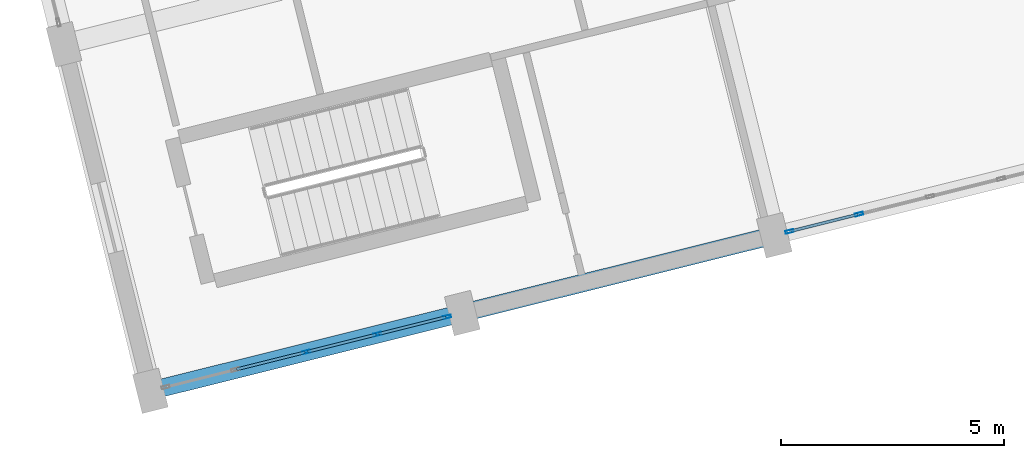
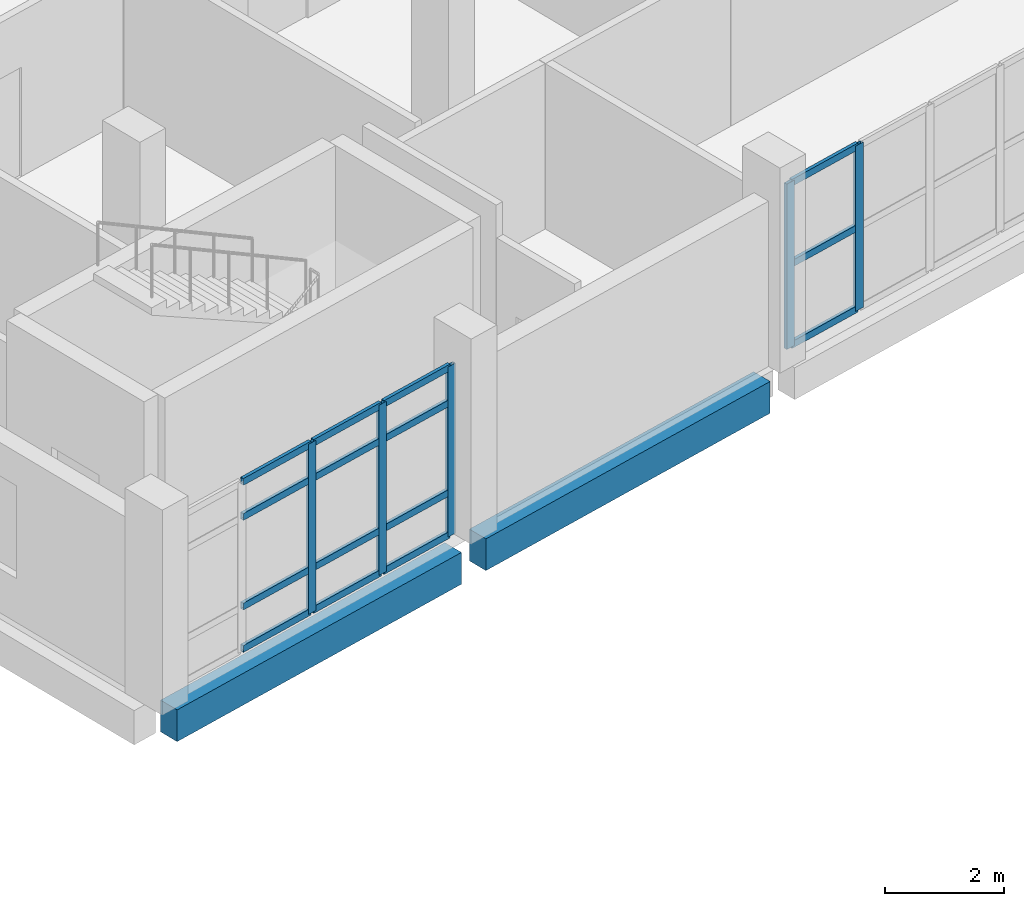
# One storey, part 105 of 164: 20 members, 2 beams, 2 elements without a shape of their own.
"""IFC4 building model written with IfcOpenShell, lengths in metres."""

from ifc_helpers import new_model, si_unit, direction, frame, origin, origin_2d, place, context, subcontext, project, spatial, rectangle, hollow_rectangle, extrude, material, layer, layer_set, material_profile, profile_set, type_object, element, aggregate, save


model = new_model("IFC4")

# Units and contexts
model_context = context("Model", 3, precision=1e-05, world=origin(), true_north=direction((0.0, 1.0)))
body_context = subcontext(model_context, "Body", "Model", "MODEL_VIEW")
ifc_project = project(units=[si_unit("LENGTHUNIT", "METRE"), si_unit("AREAUNIT", "SQUARE_METRE"), si_unit("VOLUMEUNIT", "CUBIC_METRE"), si_unit("PLANEANGLEUNIT", "RADIAN"), si_unit("MASSUNIT", "GRAM", prefix="KILO")], contexts=[model_context])

# Site, building, storey
site_placement = place(None, origin())
site = spatial("IfcSite", under=ifc_project, at=site_placement, CompositionType="ELEMENT")
building_placement = place(site_placement, origin())
building = spatial("IfcBuilding", under=site, at=building_placement, Name="Mawjan Specialist Oncology Clinic", CompositionType="ELEMENT")
storey_placement = place(building_placement, frame((0.0, 0.0, 5.0)))
storey = spatial("IfcBuildingStorey", under=building, at=storey_placement, Name="L01", CompositionType="ELEMENT", Elevation=5.0)

# Curtain wall, members
ifc_material_1 = material(Name="Unitised spectrally selective aluminium curtain wall", Category="aluminium")
ifc_layer_1 = layer(ifc_material_1, 0.179931640625, Name="Unitised spectrally selective aluminium curtain wall", Category="aluminium")
ifc_layer_set_1 = layer_set([ifc_layer_1], Name="Unitised spectrally selective aluminium curtain wall")
curtain_wall_type_1 = type_object("IfcCurtainWallType", Name="CW-44", PredefinedType="NOTDEFINED", material=ifc_layer_set_1)
curtain_wall_1_placement = place(storey_placement, origin())
curtain_wall_1 = element("IfcCurtainWall", 1, at=curtain_wall_1_placement, inside=storey, type_object=curtain_wall_type_1, Name="L01 Unitised Curtain Wall CW-L01-088", PredefinedType="NOTDEFINED")
ifc_material_2 = material(Name="Thermally broken aluminium 6063-T6", Category="aluminium")
ifc_material_profile_1 = material_profile(ifc_material_2, hollow_rectangle(XDim=0.06494140625, YDim=0.179931640625, WallThickness=0.00390625, at=origin_2d()), Name="ALU MULLION 180x65x4", Category="aluminium")
ifc_profile_set_1 = profile_set([ifc_material_profile_1], Name="Thermally broken aluminium 6063-T6")
member_type_1 = type_object("IfcMemberType", Name="CW-M180", PredefinedType="MULLION", material=ifc_profile_set_1)
member_1_placement = place(storey_placement, frame((141.8740234375, 4.7578125, 0.0), z_axis=(0.0, 0.0, 1.0), x_axis=(0.241921946692, -0.970295713537, 0.0)))
member_1 = element("IfcMember", 2, at=member_1_placement, type_object=member_type_1, Name="CW-44 mullion 4", PredefinedType="MULLION", context=body_context, shape_type="SweptSolid", body=[
    extrude(hollow_rectangle(XDim=0.06494140625, YDim=0.179931640625, WallThickness=0.00390625, at=origin_2d()), origin(), (0.0, 0.0, 1.0), 3.385009765625),
])
member_2_placement = place(storey_placement, frame((140.314208984375, 4.368896484375, 0.0), z_axis=(0.0, 0.0, 1.0), x_axis=(0.241921946692, -0.970295713537, 0.0)))
member_2 = element("IfcMember", 3, at=member_2_placement, type_object=member_type_1, Name="CW-44 mullion 5", PredefinedType="MULLION", context=body_context, shape_type="SweptSolid", body=[
    extrude(hollow_rectangle(XDim=0.06494140625, YDim=0.179931640625, WallThickness=0.00390625, at=origin_2d()), origin(), (0.0, 0.0, 1.0), 3.385009765625),
])

ifc_material_3 = material(Name="Unitised spectrally selective aluminium curtain wall", Category="aluminium")
ifc_layer_2 = layer(ifc_material_3, 0.179931640625, Name="Unitised spectrally selective aluminium curtain wall", Category="aluminium")
ifc_layer_set_2 = layer_set([ifc_layer_2], Name="Unitised spectrally selective aluminium curtain wall")
curtain_wall_type_2 = type_object("IfcCurtainWallType", Name="CW-45", PredefinedType="NOTDEFINED", material=ifc_layer_set_2)
curtain_wall_2_placement = place(storey_placement, origin())
curtain_wall_2 = element("IfcCurtainWall", 4, at=curtain_wall_2_placement, inside=storey, type_object=curtain_wall_type_2, Name="L01 Unitised Curtain Wall CW-L01-089", PredefinedType="NOTDEFINED")
member_3_placement = place(storey_placement, frame((132.64404296875, 2.45654296875, 0.0), z_axis=(0.0, 0.0, 1.0), x_axis=(0.241921982475, -0.970295704615, 0.0)))
member_3 = element("IfcMember", 5, at=member_3_placement, type_object=member_type_1, Name="CW-45 mullion 1", PredefinedType="MULLION", context=body_context, shape_type="SweptSolid", body=[
    extrude(hollow_rectangle(XDim=0.06494140625, YDim=0.179931640625, WallThickness=0.00390625, at=origin_2d()), origin(), (0.0, 0.0, 1.0), 3.485107421875),
])
member_4_placement = place(storey_placement, frame((131.084228515625, 2.067626953125, 0.0), z_axis=(0.0, 0.0, 1.0), x_axis=(0.241921982475, -0.970295704615, 0.0)))
member_4 = element("IfcMember", 6, at=member_4_placement, type_object=member_type_1, Name="CW-45 mullion 2", PredefinedType="MULLION", context=body_context, shape_type="SweptSolid", body=[
    extrude(hollow_rectangle(XDim=0.06494140625, YDim=0.179931640625, WallThickness=0.00390625, at=origin_2d()), origin(), (0.0, 0.0, 1.0), 3.485107421875),
])
member_5_placement = place(storey_placement, frame((129.4931640625, 1.6708984375, 0.0), z_axis=(0.0, 0.0, 1.0), x_axis=(0.241921982475, -0.970295704615, 0.0)))
member_5 = element("IfcMember", 7, at=member_5_placement, type_object=member_type_1, Name="CW-45 mullion 3", PredefinedType="MULLION", context=body_context, shape_type="SweptSolid", body=[
    extrude(hollow_rectangle(XDim=0.06494140625, YDim=0.179931640625, WallThickness=0.00390625, at=origin_2d()), origin(), (0.0, 0.0, 1.0), 3.485107421875),
])

# Member
ifc_material_4 = material(Name="Thermally broken aluminium 6063-T6", Category="aluminium")
ifc_material_profile_2 = material_profile(ifc_material_4, hollow_rectangle(XDim=0.06494140625, YDim=0.139892578125, WallThickness=0.00390625, at=origin_2d()), Name="ALU TRANSOM 140x65x4", Category="aluminium")
ifc_profile_set_2 = profile_set([ifc_material_profile_2], Name="Thermally broken aluminium 6063-T6")
member_type_2 = type_object("IfcMemberType", Name="CW-T140", PredefinedType="USERDEFINED", material=ifc_profile_set_2)
member_6_placement = place(storey_placement, frame((141.842529296875, 4.75, 0.032470703125), z_axis=(-0.970281979076, -0.241977025935, 0.0), x_axis=(0.241977025935, -0.970281979076, 0.0)))
member_6 = element("IfcMember", 8, at=member_6_placement, type_object=member_type_2, Name="CW-44 transom 4.1", ObjectType="TRANSOM", PredefinedType="USERDEFINED", context=body_context, shape_type="SweptSolid", body=[
    extrude(hollow_rectangle(XDim=0.06494140625, YDim=0.139892578125, WallThickness=0.00390625, at=origin_2d()), origin(), (0.0, 0.0, 1.0), 1.542724609375),
])

member_7_placement = place(storey_placement, frame((141.842529296875, 4.75, 1.6923828125), z_axis=(-0.970281979076, -0.241977025935, 0.0), x_axis=(0.241977025935, -0.970281979076, 0.0)))
member_7 = element("IfcMember", 9, at=member_7_placement, type_object=member_type_2, Name="CW-44 transom 4.2", ObjectType="TRANSOM", PredefinedType="USERDEFINED", context=body_context, shape_type="SweptSolid", body=[
    extrude(hollow_rectangle(XDim=0.06494140625, YDim=0.139892578125, WallThickness=0.00390625, at=origin_2d()), origin(), (0.0, 0.0, 1.0), 1.542724609375),
])

member_8_placement = place(storey_placement, frame((141.842529296875, 4.75, 3.3525390625), z_axis=(-0.970281979076, -0.241977025935, 0.0), x_axis=(0.241977025935, -0.970281979076, 0.0)))
member_8 = element("IfcMember", 10, at=member_8_placement, type_object=member_type_2, Name="CW-44 transom 4.3", ObjectType="TRANSOM", PredefinedType="USERDEFINED", context=body_context, shape_type="SweptSolid", body=[
    extrude(hollow_rectangle(XDim=0.06494140625, YDim=0.139892578125, WallThickness=0.00390625, at=origin_2d()), origin(), (0.0, 0.0, 1.0), 1.542724609375),
])

aggregate(curtain_wall_1, [member_1, member_2, member_6, member_7, member_8])

member_9_placement = place(storey_placement, frame((132.612548828125, 2.44873046875, 0.032470703125), z_axis=(-0.970272710459, -0.242014188302, 0.0), x_axis=(0.242014188302, -0.970272710459, 0.0)))
member_9 = element("IfcMember", 11, at=member_9_placement, type_object=member_type_2, Name="CW-45 transom 1.1", ObjectType="TRANSOM", PredefinedType="USERDEFINED", context=body_context, shape_type="SweptSolid", body=[
    extrude(hollow_rectangle(XDim=0.06494140625, YDim=0.139892578125, WallThickness=0.00390625, at=origin_2d()), origin(), (0.0, 0.0, 1.0), 1.54248046875),
])

member_10_placement = place(storey_placement, frame((132.612548828125, 2.44873046875, 0.89990234375), z_axis=(-0.970272710459, -0.242014188302, 0.0), x_axis=(0.242014188302, -0.970272710459, 0.0)))
member_10 = element("IfcMember", 12, at=member_10_placement, type_object=member_type_2, Name="CW-45 transom 1.2", ObjectType="TRANSOM", PredefinedType="USERDEFINED", context=body_context, shape_type="SweptSolid", body=[
    extrude(hollow_rectangle(XDim=0.06494140625, YDim=0.139892578125, WallThickness=0.00390625, at=origin_2d()), origin(), (0.0, 0.0, 1.0), 1.54248046875),
])

member_11_placement = place(storey_placement, frame((132.612548828125, 2.44873046875, 2.735107421875), z_axis=(-0.970272710459, -0.242014188302, 0.0), x_axis=(0.242014188302, -0.970272710459, 0.0)))
member_11 = element("IfcMember", 13, at=member_11_placement, type_object=member_type_2, Name="CW-45 transom 1.3", ObjectType="TRANSOM", PredefinedType="USERDEFINED", context=body_context, shape_type="SweptSolid", body=[
    extrude(hollow_rectangle(XDim=0.06494140625, YDim=0.139892578125, WallThickness=0.00390625, at=origin_2d()), origin(), (0.0, 0.0, 1.0), 1.54248046875),
])

member_12_placement = place(storey_placement, frame((132.612548828125, 2.44873046875, 3.452392578125), z_axis=(-0.970272710459, -0.242014188302, 0.0), x_axis=(0.242014188302, -0.970272710459, 0.0)))
member_12 = element("IfcMember", 14, at=member_12_placement, type_object=member_type_2, Name="CW-45 transom 1.4", ObjectType="TRANSOM", PredefinedType="USERDEFINED", context=body_context, shape_type="SweptSolid", body=[
    extrude(hollow_rectangle(XDim=0.06494140625, YDim=0.139892578125, WallThickness=0.00390625, at=origin_2d()), origin(), (0.0, 0.0, 1.0), 1.54248046875),
])

member_13_placement = place(storey_placement, frame((131.052734375, 2.059814453125, 0.032470703125), z_axis=(-0.970279129475, -0.241988452007, 0.0), x_axis=(0.241988452007, -0.970279129475, 0.0)))
member_13 = element("IfcMember", 15, at=member_13_placement, type_object=member_type_2, Name="CW-45 transom 2.1", ObjectType="TRANSOM", PredefinedType="USERDEFINED", context=body_context, shape_type="SweptSolid", body=[
    extrude(hollow_rectangle(XDim=0.06494140625, YDim=0.139892578125, WallThickness=0.00390625, at=origin_2d()), origin(), (0.0, 0.0, 1.0), 1.574951171875),
])

member_14_placement = place(storey_placement, frame((131.052734375, 2.059814453125, 0.89990234375), z_axis=(-0.970279129475, -0.241988452007, 0.0), x_axis=(0.241988452007, -0.970279129475, 0.0)))
member_14 = element("IfcMember", 16, at=member_14_placement, type_object=member_type_2, Name="CW-45 transom 2.2", ObjectType="TRANSOM", PredefinedType="USERDEFINED", context=body_context, shape_type="SweptSolid", body=[
    extrude(hollow_rectangle(XDim=0.06494140625, YDim=0.139892578125, WallThickness=0.00390625, at=origin_2d()), origin(), (0.0, 0.0, 1.0), 1.574951171875),
])

member_15_placement = place(storey_placement, frame((131.052734375, 2.059814453125, 2.735107421875), z_axis=(-0.970279129475, -0.241988452007, 0.0), x_axis=(0.241988452007, -0.970279129475, 0.0)))
member_15 = element("IfcMember", 17, at=member_15_placement, type_object=member_type_2, Name="CW-45 transom 2.3", ObjectType="TRANSOM", PredefinedType="USERDEFINED", context=body_context, shape_type="SweptSolid", body=[
    extrude(hollow_rectangle(XDim=0.06494140625, YDim=0.139892578125, WallThickness=0.00390625, at=origin_2d()), origin(), (0.0, 0.0, 1.0), 1.574951171875),
])

member_16_placement = place(storey_placement, frame((131.052734375, 2.059814453125, 3.452392578125), z_axis=(-0.970279129475, -0.241988452007, 0.0), x_axis=(0.241988452007, -0.970279129475, 0.0)))
member_16 = element("IfcMember", 18, at=member_16_placement, type_object=member_type_2, Name="CW-45 transom 2.4", ObjectType="TRANSOM", PredefinedType="USERDEFINED", context=body_context, shape_type="SweptSolid", body=[
    extrude(hollow_rectangle(XDim=0.06494140625, YDim=0.139892578125, WallThickness=0.00390625, at=origin_2d()), origin(), (0.0, 0.0, 1.0), 1.574951171875),
])

member_17_placement = place(storey_placement, frame((129.46142578125, 1.6630859375, 0.032470703125), z_axis=(-0.970279129475, -0.241988452007, 0.0), x_axis=(0.241988452007, -0.970279129475, 0.0)))
member_17 = element("IfcMember", 19, at=member_17_placement, type_object=member_type_2, Name="CW-45 transom 3.1", ObjectType="TRANSOM", PredefinedType="USERDEFINED", context=body_context, shape_type="SweptSolid", body=[
    extrude(hollow_rectangle(XDim=0.06494140625, YDim=0.139892578125, WallThickness=0.00390625, at=origin_2d()), origin(), (0.0, 0.0, 1.0), 1.574951171875),
])

member_18_placement = place(storey_placement, frame((129.46142578125, 1.6630859375, 0.89990234375), z_axis=(-0.970279129475, -0.241988452007, 0.0), x_axis=(0.241988452007, -0.970279129475, 0.0)))
member_18 = element("IfcMember", 20, at=member_18_placement, type_object=member_type_2, Name="CW-45 transom 3.2", ObjectType="TRANSOM", PredefinedType="USERDEFINED", context=body_context, shape_type="SweptSolid", body=[
    extrude(hollow_rectangle(XDim=0.06494140625, YDim=0.139892578125, WallThickness=0.00390625, at=origin_2d()), origin(), (0.0, 0.0, 1.0), 1.574951171875),
])

member_19_placement = place(storey_placement, frame((129.46142578125, 1.6630859375, 2.735107421875), z_axis=(-0.970279129475, -0.241988452007, 0.0), x_axis=(0.241988452007, -0.970279129475, 0.0)))
member_19 = element("IfcMember", 21, at=member_19_placement, type_object=member_type_2, Name="CW-45 transom 3.3", ObjectType="TRANSOM", PredefinedType="USERDEFINED", context=body_context, shape_type="SweptSolid", body=[
    extrude(hollow_rectangle(XDim=0.06494140625, YDim=0.139892578125, WallThickness=0.00390625, at=origin_2d()), origin(), (0.0, 0.0, 1.0), 1.574951171875),
])

member_20_placement = place(storey_placement, frame((129.46142578125, 1.6630859375, 3.452392578125), z_axis=(-0.970279129475, -0.241988452007, 0.0), x_axis=(0.241988452007, -0.970279129475, 0.0)))
member_20 = element("IfcMember", 22, at=member_20_placement, type_object=member_type_2, Name="CW-45 transom 3.4", ObjectType="TRANSOM", PredefinedType="USERDEFINED", context=body_context, shape_type="SweptSolid", body=[
    extrude(hollow_rectangle(XDim=0.06494140625, YDim=0.139892578125, WallThickness=0.00390625, at=origin_2d()), origin(), (0.0, 0.0, 1.0), 1.574951171875),
])

aggregate(curtain_wall_2, [member_3, member_4, member_5, member_9, member_10, member_11, member_12, member_13, member_14, member_15, member_16, member_17, member_18, member_19, member_20])

# Beams
ifc_material_5 = material(Name="Concrete C45/55", Category="concrete")
ifc_material_profile_3 = material_profile(ifc_material_5, rectangle(XDim=0.39990234375, YDim=0.64990234375, at=origin_2d()), Name="RC BM 400x650", Category="concrete")
ifc_profile_set_3 = profile_set([ifc_material_profile_3], Name="Concrete C45/55")
beam_type = type_object("IfcBeamType", Name="SP-400x650", PredefinedType="SPANDREL", material=ifc_profile_set_3)
for number, where, z_axis, x_axis, name in (
    (23, (126.276611328125, 0.868896484375, -0.625), (0.970293935913, 0.241929076241, 0.0), (-0.241929076241, 0.970293935913, 0.0), "L01 Spandrel Beam BM-L01-0585"),
    (24, (133.2626953125, 2.61083984375, -0.625), (0.970293935913, 0.241929076241, 0.0), (-0.241929076241, 0.970293935913, 0.0), "L01 Spandrel Beam BM-L01-0586"),
):
    element("IfcBeam", number, at=place(storey_placement, frame(where, z_axis=z_axis, x_axis=x_axis)), inside=storey, type_object=beam_type, Name=name, PredefinedType="SPANDREL", context=body_context, shape_type="SweptSolid", body=[
        extrude(rectangle(XDim=0.39990234375, YDim=0.64990234375, at=origin_2d()), origin(), (0.0, 0.0, 1.0), 6.630126953125),
    ])

save(model, "model.ifc")
